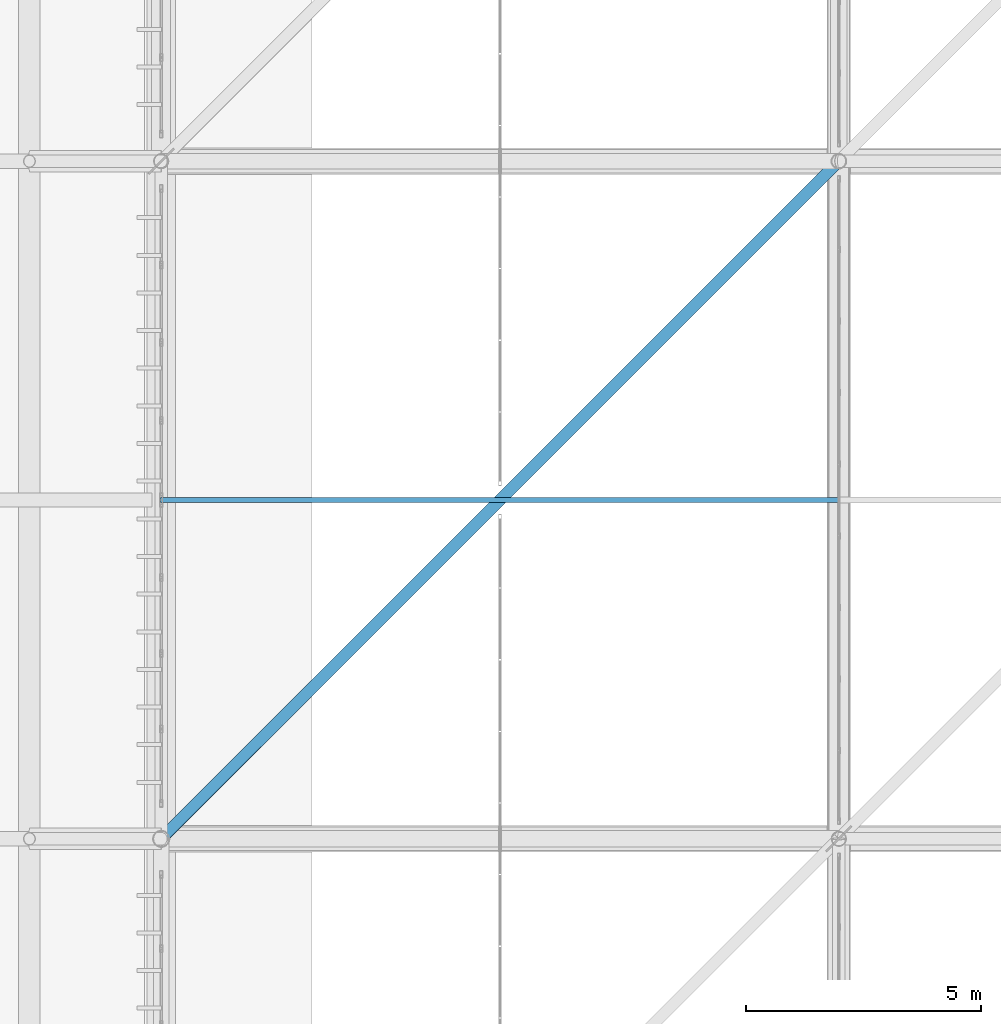
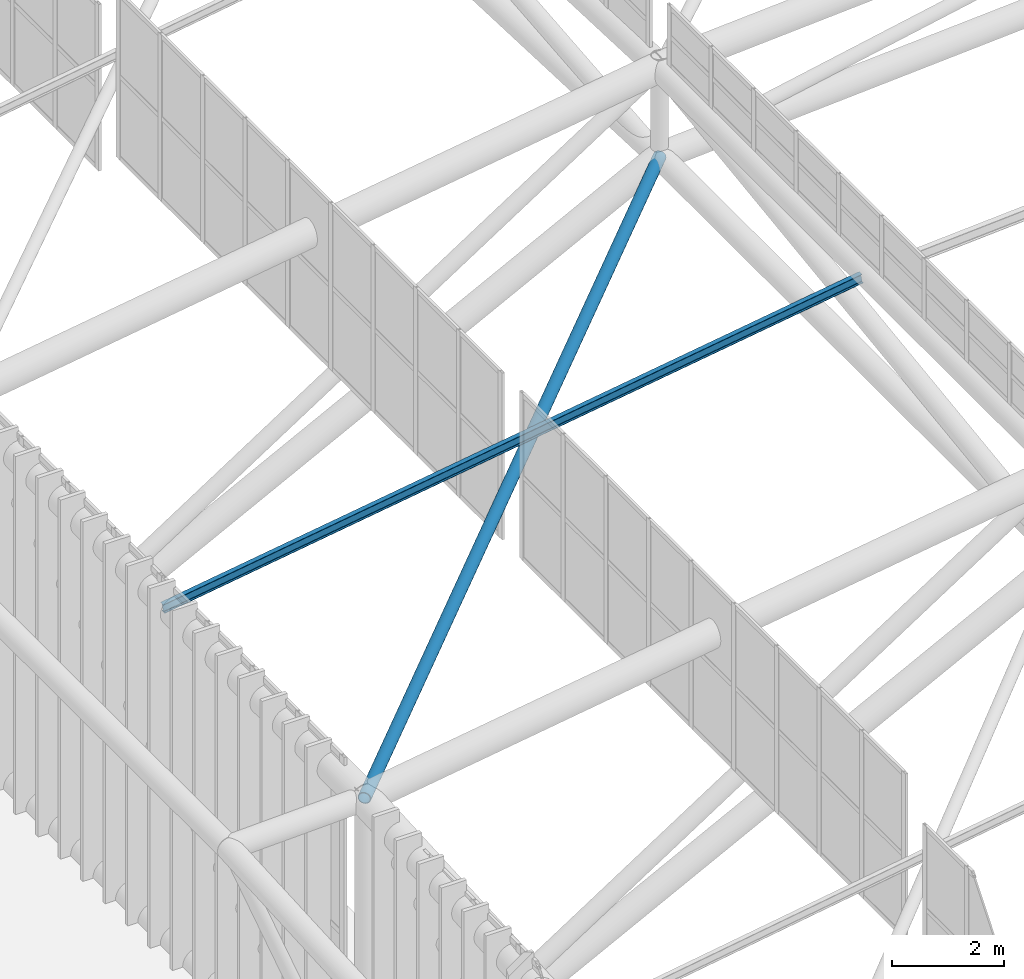
# One storey, part 180 of 397: 2 members.
"""IFC4 building model written with IfcOpenShell, lengths in metres."""

from ifc_helpers import new_model, si_unit, direction, frame, origin, origin_2d, place, context, subcontext, project, spatial, hollow_circle, i_section, extrude, material, material_profile, profile_set, type_object, element, save


model = new_model("IFC4")

# Units and contexts
model_context = context("Model", 3, precision=1e-05, world=origin(), true_north=direction((0.0, 1.0)))
body_context = subcontext(model_context, "Body", "Model", "MODEL_VIEW")
ifc_project = project(units=[si_unit("LENGTHUNIT", "METRE"), si_unit("AREAUNIT", "SQUARE_METRE"), si_unit("VOLUMEUNIT", "CUBIC_METRE"), si_unit("PLANEANGLEUNIT", "RADIAN"), si_unit("MASSUNIT", "GRAM", prefix="KILO")], contexts=[model_context])

# Site, building, storey
site_placement = place(None, origin())
site = spatial("IfcSite", under=ifc_project, at=site_placement, CompositionType="ELEMENT")
building_placement = place(site_placement, origin())
building = spatial("IfcBuilding", under=site, at=building_placement, Name="Qandorah Velis Arena", CompositionType="ELEMENT")
storey_placement = place(building_placement, frame((0.0, 0.0, 27.5)))
storey = spatial("IfcBuildingStorey", under=building, at=storey_placement, Name="RF", CompositionType="ELEMENT", Elevation=27.5)

# Members
ifc_material = material(Name="Steel S355", Category="steel")
ifc_material_profile_1 = material_profile(ifc_material, i_section(OverallWidth=0.10009765625, OverallDepth=0.199951171875, WebThickness=0.005615234375, FlangeThickness=0.008544921875, FilletRadius=0.011962890625, at=origin_2d()), Name="IPE 200")
ifc_profile_set_1 = profile_set([ifc_material_profile_1], Name="Steel S355")
member_type_1 = type_object("IfcMemberType", Name="STR-PRL-IPE200", PredefinedType="PURLIN", material=ifc_profile_set_1)
member_1_placement = place(storey_placement, frame((14.39990234375, 64.800048828125, 7.050537109375), z_axis=(0.988910389344, 0.0, 0.148513439954), x_axis=(0.0, 1.0, 0.0)))
element("IfcMember", 1, at=member_1_placement, inside=storey, type_object=member_type_1, Name="Arena roof purlin PRL-0.3", PredefinedType="PURLIN", context=body_context, shape_type="SweptSolid", body=[
    extrude(i_section(OverallWidth=0.10009765625, OverallDepth=0.199951171875, WebThickness=0.005615234375, FlangeThickness=0.008544921875, FilletRadius=0.011962890625, at=origin_2d()), origin(), (0.0, 0.0, 1.0), 14.5615234375),
])
ifc_material_profile_2 = material_profile(ifc_material, hollow_circle(Radius=0.122314453125, WallThickness=0.012451171875, at=origin_2d()), Name="CHS 244.5x12.5")
ifc_profile_set_2 = profile_set([ifc_material_profile_2], Name="Steel S355")
member_type_2 = type_object("IfcMemberType", Name="STR-SFD-CHS244X12", PredefinedType="STRUT", material=ifc_profile_set_2)
member_2_placement = place(storey_placement, frame((28.800048828125, 72.0, 7.483154296875), z_axis=(-0.70707422903, -0.707062241267, -0.010441341632), x_axis=(0.707100786953, -0.707112775369, 0.0)))
element("IfcMember", 2, at=member_2_placement, inside=storey, type_object=member_type_2, Name="Space frame roof spatial diagonal 0.3", PredefinedType="STRUT", context=body_context, shape_type="SweptSolid", body=[
    extrude(hollow_circle(Radius=0.122314453125, WallThickness=0.012451171875, at=origin_2d()), origin(), (0.0, 0.0, 1.0), 20.36572265625),
])

save(model, "model.ifc")
